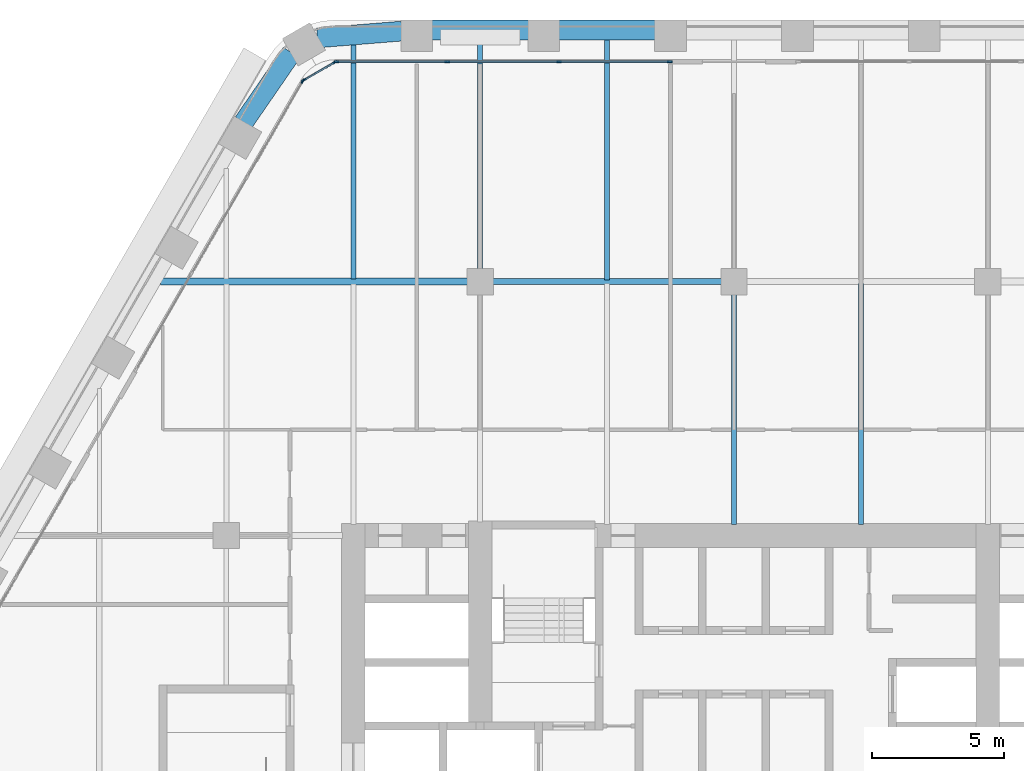
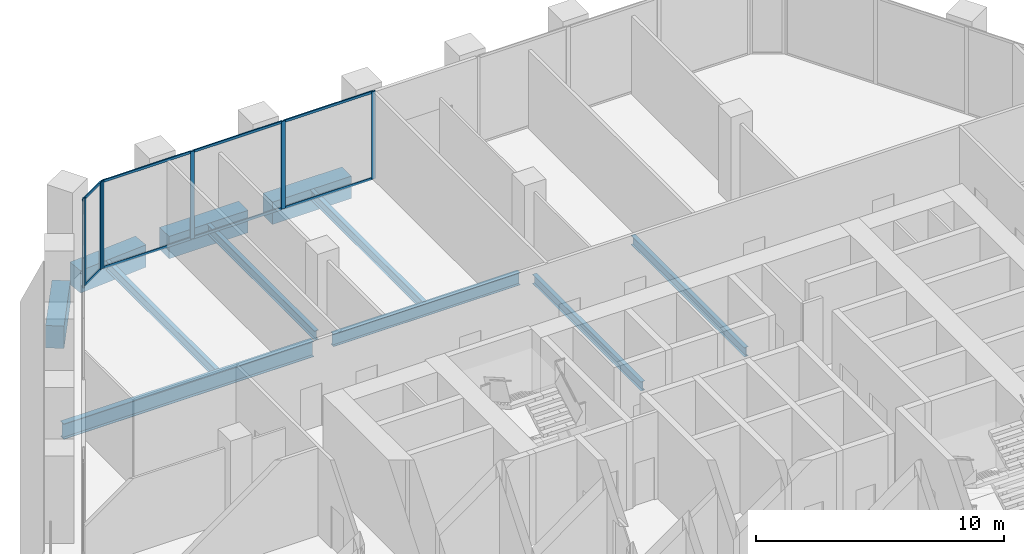
# One storey, part 7 of 23: 15 members, 11 beams, 3 elements without a shape of their own.
"""IFC4 building model written with IfcOpenShell, lengths in metres."""

from ifc_helpers import new_model, si_unit, direction, frame, origin, origin_2d, place, context, subcontext, project, spatial, rectangle, i_section, extrude, material, material_profile, profile_set, type_object, element, aggregate, save


model = new_model("IFC4")

# Units and contexts
model_context = context("Model", 3, precision=1e-05, world=origin(), true_north=direction((0.0, 1.0)))
body_context = subcontext(model_context, "Body", "Model", "MODEL_VIEW")
ifc_project = project(units=[si_unit("LENGTHUNIT", "METRE"), si_unit("AREAUNIT", "SQUARE_METRE"), si_unit("VOLUMEUNIT", "CUBIC_METRE"), si_unit("PLANEANGLEUNIT", "RADIAN"), si_unit("MASSUNIT", "GRAM", prefix="KILO")], contexts=[model_context])

# Site, building, storey
site_placement = place(None, origin())
site = spatial("IfcSite", under=ifc_project, at=site_placement, CompositionType="ELEMENT")
building_placement = place(site_placement, origin())
building = spatial("IfcBuilding", under=site, at=building_placement, Name="Kolab Exchange Tower", CompositionType="ELEMENT")
storey_placement = place(building_placement, frame((0.0, 0.0, 100.39990234375)))
storey = spatial("IfcBuildingStorey", under=building, at=storey_placement, Name="L19", CompositionType="ELEMENT", Elevation=100.39990234375)

# Beams
ifc_material_1 = material(Name="Steel S355", Category="steel")
ifc_material_profile_1 = material_profile(ifc_material_1, i_section(OverallWidth=0.18994140625, OverallDepth=0.45703125, WebThickness=0.009033203125, FlangeThickness=0.014404296875, at=origin_2d()), Name="W460X74")
ifc_profile_set_1 = profile_set([ifc_material_profile_1], Name="Steel S355")
beam_type_1 = type_object("IfcBeamType", Name="FLOOR BEAM W460X74", PredefinedType="BEAM", material=ifc_profile_set_1)
beam_1_placement = place(storey_placement, frame((-14.39990234375, 19.29345703125, -0.428466796875), z_axis=(0.0, 1.0, 0.0), x_axis=(-1.0, 0.0, 0.0)))
element("IfcBeam", 1, at=beam_1_placement, inside=storey, type_object=beam_type_1, Name="beam/L19/fr/015", PredefinedType="BEAM", context=body_context, shape_type="SweptSolid", body=[
    extrude(i_section(OverallWidth=0.18994140625, OverallDepth=0.45703125, WebThickness=0.009033203125, FlangeThickness=0.014404296875, at=origin_2d()), origin(), (0.0, 0.0, 1.0), 8.901123046875),
])
beam_2_placement = place(storey_placement, frame((-9.60009765625, 19.659912109375, -0.428466796875), z_axis=(0.0, 1.0, 0.0), x_axis=(-1.0, 0.0, 0.0)))
element("IfcBeam", 2, at=beam_2_placement, inside=storey, type_object=beam_type_1, Name="beam/L19/fr/019", PredefinedType="BEAM", context=body_context, shape_type="SweptSolid", body=[
    extrude(i_section(OverallWidth=0.18994140625, OverallDepth=0.45703125, WebThickness=0.009033203125, FlangeThickness=0.014404296875, at=origin_2d()), origin(), (0.0, 0.0, 1.0), 8.728515625),
])
beam_3_placement = place(storey_placement, frame((-4.800048828125, 19.27392578125, -0.428466796875), z_axis=(0.0, 1.0, 0.0), x_axis=(-1.0, 0.0, 0.0)))
element("IfcBeam", 3, at=beam_3_placement, inside=storey, type_object=beam_type_1, Name="beam/L19/fr/023", PredefinedType="BEAM", context=body_context, shape_type="SweptSolid", body=[
    extrude(i_section(OverallWidth=0.18994140625, OverallDepth=0.45703125, WebThickness=0.009033203125, FlangeThickness=0.014404296875, at=origin_2d()), origin(), (0.0, 0.0, 1.0), 9.114501953125),
])
beam_4_placement = place(storey_placement, frame((0.0, 10.010009765625, -0.428466796875), z_axis=(0.0, 1.0, 0.0), x_axis=(-1.0, 0.0, 0.0)))
element("IfcBeam", 4, at=beam_4_placement, inside=storey, type_object=beam_type_1, Name="beam/L19/fr/026", PredefinedType="BEAM", context=body_context, shape_type="SweptSolid", body=[
    extrude(i_section(OverallWidth=0.18994140625, OverallDepth=0.45703125, WebThickness=0.009033203125, FlangeThickness=0.014404296875, at=origin_2d()), origin(), (0.0, 0.0, 1.0), 8.72998046875),
])
beam_5_placement = place(storey_placement, frame((4.800048828125, 10.010009765625, -0.428466796875), z_axis=(0.0, 1.0, 0.0), x_axis=(-1.0, 0.0, 0.0)))
element("IfcBeam", 5, at=beam_5_placement, inside=storey, type_object=beam_type_1, Name="beam/L19/fr/030", PredefinedType="BEAM", context=body_context, shape_type="SweptSolid", body=[
    extrude(i_section(OverallWidth=0.18994140625, OverallDepth=0.45703125, WebThickness=0.009033203125, FlangeThickness=0.014404296875, at=origin_2d()), origin(), (0.0, 0.0, 1.0), 9.115966796875),
])
ifc_material_profile_2 = material_profile(ifc_material_1, i_section(OverallWidth=0.22802734375, OverallDepth=0.60791015625, WebThickness=0.01123046875, FlangeThickness=0.017333984375, at=origin_2d()), Name="W610X113")
ifc_profile_set_2 = profile_set([ifc_material_profile_2], Name="Steel S355")
beam_type_2 = type_object("IfcBeamType", Name="FLOOR GIRDER W610X113", PredefinedType="BEAM", material=ifc_profile_set_2)
beam_6_placement = place(storey_placement, frame((-9.139892578125, 19.199951171875, -0.50390625), z_axis=(1.0, 0.0, 0.0), x_axis=(0.0, 1.0, 0.0)))
element("IfcBeam", 6, at=beam_6_placement, inside=storey, type_object=beam_type_2, Name="beam/L19/gd/009", PredefinedType="BEAM", context=body_context, shape_type="SweptSolid", body=[
    extrude(i_section(OverallWidth=0.22802734375, OverallDepth=0.60791015625, WebThickness=0.01123046875, FlangeThickness=0.017333984375, at=origin_2d()), origin(), (0.0, 0.0, 1.0), 8.679931640625),
])
ifc_material_profile_3 = material_profile(ifc_material_1, i_section(OverallWidth=0.26708984375, OverallDepth=0.761962890625, WebThickness=0.014404296875, FlangeThickness=0.021484375, at=origin_2d()), Name="W760X173")
ifc_profile_set_3 = profile_set([ifc_material_profile_3], Name="Steel S355")
beam_type_3 = type_object("IfcBeamType", Name="FLOOR GIRDER W760X173", PredefinedType="BEAM", material=ifc_profile_set_3)
beam_7_placement = place(storey_placement, frame((-21.688720703125, 19.199951171875, -0.580810546875), z_axis=(1.0, 0.0, 0.0), x_axis=(0.0, 1.0, 0.0)))
element("IfcBeam", 7, at=beam_7_placement, inside=storey, type_object=beam_type_3, Name="beam/L19/gd/004", PredefinedType="BEAM", context=body_context, shape_type="SweptSolid", body=[
    extrude(i_section(OverallWidth=0.26708984375, OverallDepth=0.761962890625, WebThickness=0.014404296875, FlangeThickness=0.021484375, at=origin_2d()), origin(), (0.0, 0.0, 1.0), 11.628662109375),
])
ifc_material_2 = material(Name="Concrete C70/85", Category="concrete")
ifc_material_profile_4 = material_profile(ifc_material_2, rectangle(XDim=0.75, YDim=1.10009765625, at=origin_2d()), Name="RC750X1100")
ifc_profile_set_4 = profile_set([ifc_material_profile_4], Name="Concrete C70/85")
beam_type_4 = type_object("IfcBeamType", Name="SPANDREL BEAM 750X1100 C70/85", PredefinedType="BEAM", material=ifc_profile_set_4)
beam_8_placement = place(storey_placement, frame((-15.75830078125, 28.421630859375, -0.75), z_axis=(0.996791038408, 0.080047646748, 0.0), x_axis=(-0.080047646748, 0.996791038408, 0.0)))
element("IfcBeam", 8, at=beam_8_placement, inside=storey, type_object=beam_type_4, Name="beam/L19/sp/F1-01", PredefinedType="BEAM", context=body_context, shape_type="SweptSolid", body=[
    extrude(rectangle(XDim=0.75, YDim=1.10009765625, at=origin_2d()), origin(), (0.0, 0.0, 1.0), 3.20849609375),
])
for number, where, z_axis, x_axis, name in (
    (9, (-11.43994140625, 28.723388671875, -0.75), (1.0, 0.0, 0.0), (0.0, 1.0, 0.0), "beam/L19/sp/F1-02"),
    (10, (-6.639892578125, 28.723388671875, -0.75), (1.0, 0.0, 0.0), (0.0, 1.0, 0.0), "beam/L19/sp/F1-03"),
):
    element("IfcBeam", number, at=place(storey_placement, frame(where, z_axis=z_axis, x_axis=x_axis)), inside=storey, type_object=beam_type_4, Name=name, PredefinedType="BEAM", context=body_context, shape_type="SweptSolid", body=[
        extrude(rectangle(XDim=0.75, YDim=1.10009765625, at=origin_2d()), origin(), (0.0, 0.0, 1.0), 3.679931640625),
    ])
beam_9_placement = place(storey_placement, frame((-18.55615234375, 25.216552734375, -0.75), z_axis=(0.567661826262, 0.823261836237, 0.0), x_axis=(-0.823261836237, 0.567661826262, 0.0)))
element("IfcBeam", 11, at=beam_9_placement, inside=storey, type_object=beam_type_4, Name="beam/L19/sp/F6-07", PredefinedType="BEAM", context=body_context, shape_type="SweptSolid", body=[
    extrude(rectangle(XDim=0.75, YDim=1.10009765625, at=origin_2d()), origin(), (0.0, 0.0, 1.0), 3.20849609375),
])

# Curtain wall, members
ifc_material_3 = material(Name="Aluminium EN AW-6063 T6", Category="aluminium")
curtain_wall_type = type_object("IfcCurtainWallType", Name="UNITISED LOWER MID ZONE CURTAIN WALL", PredefinedType="NOTDEFINED", material=ifc_material_3)
curtain_wall_1_placement = place(storey_placement, origin())
curtain_wall_1 = element("IfcCurtainWall", 12, at=curtain_wall_1_placement, inside=storey, type_object=curtain_wall_type, Name="cw/L19/F1-1", PredefinedType="NOTDEFINED")
ifc_material_profile_5 = material_profile(ifc_material_3, rectangle(XDim=0.06005859375, YDim=0.179931640625, at=origin_2d()), Name="RECT 60X180")
ifc_profile_set_5 = profile_set([ifc_material_profile_5], Name="Aluminium EN AW-6063 T6")
member_type_1 = type_object("IfcMemberType", Name="UNITISED LOWER MID ZONE MULLION 60 X 180", PredefinedType="MULLION", material=ifc_profile_set_5)
member_1_placement = place(storey_placement, frame((-15.037841796875, 27.5185546875, 0.0), z_axis=(0.0, 0.0, 1.0), x_axis=(0.0, 1.0, 0.0)))
member_1 = element("IfcMember", 13, at=member_1_placement, type_object=member_type_1, Name="CW2 mullion 1", PredefinedType="MULLION", context=body_context, shape_type="SweptSolid", body=[
    extrude(rectangle(XDim=0.06005859375, YDim=0.179931640625, at=origin_2d()), origin(), (0.0, 0.0, 1.0), 4.300048828125),
])
member_2_placement = place(storey_placement, frame((-10.84521484375, 27.5185546875, 0.0), z_axis=(0.0, 0.0, 1.0), x_axis=(0.0, 1.0, 0.0)))
member_2 = element("IfcMember", 14, at=member_2_placement, type_object=member_type_1, Name="CW2 mullion 2", PredefinedType="MULLION", context=body_context, shape_type="SweptSolid", body=[
    extrude(rectangle(XDim=0.06005859375, YDim=0.179931640625, at=origin_2d()), origin(), (0.0, 0.0, 1.0), 4.300048828125),
])
member_3_placement = place(storey_placement, frame((-6.62255859375, 27.5185546875, 0.0), z_axis=(0.0, 0.0, 1.0), x_axis=(0.0, 1.0, 0.0)))
member_3 = element("IfcMember", 15, at=member_3_placement, type_object=member_type_1, Name="CW2 mullion 3", PredefinedType="MULLION", context=body_context, shape_type="SweptSolid", body=[
    extrude(rectangle(XDim=0.06005859375, YDim=0.179931640625, at=origin_2d()), origin(), (0.0, 0.0, 1.0), 4.300048828125),
])
member_4_placement = place(storey_placement, frame((-2.429931640625, 27.5185546875, 0.0), z_axis=(0.0, 0.0, 1.0), x_axis=(0.0, 1.0, 0.0)))
member_4 = element("IfcMember", 16, at=member_4_placement, type_object=member_type_1, Name="CW2 mullion 4", PredefinedType="MULLION", context=body_context, shape_type="SweptSolid", body=[
    extrude(rectangle(XDim=0.06005859375, YDim=0.179931640625, at=origin_2d()), origin(), (0.0, 0.0, 1.0), 4.300048828125),
])

# Curtain wall, member
curtain_wall_2_placement = place(storey_placement, origin())
curtain_wall_2 = element("IfcCurtainWall", 17, at=curtain_wall_2_placement, inside=storey, type_object=curtain_wall_type, Name="cw/L19/F6-2", PredefinedType="NOTDEFINED")
member_5_placement = place(storey_placement, frame((-16.312744140625, 26.782470703125, 0.0), z_axis=(0.0, 0.0, 1.0), x_axis=(-0.866025393644, 0.500000017564, 0.0)))
member_5 = element("IfcMember", 18, at=member_5_placement, type_object=member_type_1, Name="CW2 mullion 4", PredefinedType="MULLION", context=body_context, shape_type="SweptSolid", body=[
    extrude(rectangle(XDim=0.06005859375, YDim=0.179931640625, at=origin_2d()), origin(), (0.0, 0.0, 1.0), 4.300048828125),
])
aggregate(curtain_wall_2, [member_5])

# Curtain wall, members
curtain_wall_3_placement = place(storey_placement, origin())
curtain_wall_3 = element("IfcCurtainWall", 19, at=curtain_wall_3_placement, inside=storey, type_object=curtain_wall_type, Name="cw/L19/F6F1-corner", PredefinedType="NOTDEFINED")
member_6_placement = place(storey_placement, frame((-16.271728515625, 26.823486328125, 0.0), z_axis=(0.0, 0.0, 1.0), x_axis=(-0.50000002237, 0.866025390869, 0.0)))
member_6 = element("IfcMember", 20, at=member_6_placement, type_object=member_type_1, Name="CW2 mullion 1", PredefinedType="MULLION", context=body_context, shape_type="SweptSolid", body=[
    extrude(rectangle(XDim=0.06005859375, YDim=0.179931640625, at=origin_2d()), origin(), (0.0, 0.0, 1.0), 4.300048828125),
])
member_7_placement = place(storey_placement, frame((-15.093994140625, 27.50341796875, 0.0), z_axis=(0.0, 0.0, 1.0), x_axis=(-0.50000002237, 0.866025390869, 0.0)))
member_7 = element("IfcMember", 21, at=member_7_placement, type_object=member_type_1, Name="CW2 mullion 2", PredefinedType="MULLION", context=body_context, shape_type="SweptSolid", body=[
    extrude(rectangle(XDim=0.06005859375, YDim=0.179931640625, at=origin_2d()), origin(), (0.0, 0.0, 1.0), 4.300048828125),
])

# Member
ifc_material_profile_6 = material_profile(ifc_material_3, rectangle(XDim=0.06005859375, YDim=0.1201171875, at=origin_2d()), Name="RECT 60X120")
ifc_profile_set_6 = profile_set([ifc_material_profile_6], Name="Aluminium EN AW-6063 T6")
member_type_2 = type_object("IfcMemberType", Name="UNITISED LOWER MID ZONE TRANSOM 60 X 120", PredefinedType="USERDEFINED", material=ifc_profile_set_6)
member_8_placement = place(storey_placement, frame((-15.008056640625, 27.5185546875, 0.030029296875), z_axis=(1.0, 0.0, 0.0), x_axis=(0.0, 1.0, 0.0)))
member_8 = element("IfcMember", 22, at=member_8_placement, type_object=member_type_2, Name="CW2 transom 1.1", ObjectType="TRANSOM", PredefinedType="USERDEFINED", context=body_context, shape_type="SweptSolid", body=[
    extrude(rectangle(XDim=0.06005859375, YDim=0.1201171875, at=origin_2d()), origin(), (0.0, 0.0, 1.0), 4.1328125),
])

member_9_placement = place(storey_placement, frame((-15.008056640625, 27.5185546875, 4.27001953125), z_axis=(1.0, 0.0, 0.0), x_axis=(0.0, 1.0, 0.0)))
member_9 = element("IfcMember", 23, at=member_9_placement, type_object=member_type_2, Name="CW2 transom 1.2", ObjectType="TRANSOM", PredefinedType="USERDEFINED", context=body_context, shape_type="SweptSolid", body=[
    extrude(rectangle(XDim=0.06005859375, YDim=0.1201171875, at=origin_2d()), origin(), (0.0, 0.0, 1.0), 4.1328125),
])

member_10_placement = place(storey_placement, frame((-10.815185546875, 27.5185546875, 0.030029296875), z_axis=(1.0, 0.0, 0.0), x_axis=(0.0, 1.0, 0.0)))
member_10 = element("IfcMember", 24, at=member_10_placement, type_object=member_type_2, Name="CW2 transom 2.1", ObjectType="TRANSOM", PredefinedType="USERDEFINED", context=body_context, shape_type="SweptSolid", body=[
    extrude(rectangle(XDim=0.06005859375, YDim=0.1201171875, at=origin_2d()), origin(), (0.0, 0.0, 1.0), 4.16259765625),
])

member_11_placement = place(storey_placement, frame((-10.815185546875, 27.5185546875, 4.27001953125), z_axis=(1.0, 0.0, 0.0), x_axis=(0.0, 1.0, 0.0)))
member_11 = element("IfcMember", 25, at=member_11_placement, type_object=member_type_2, Name="CW2 transom 2.2", ObjectType="TRANSOM", PredefinedType="USERDEFINED", context=body_context, shape_type="SweptSolid", body=[
    extrude(rectangle(XDim=0.06005859375, YDim=0.1201171875, at=origin_2d()), origin(), (0.0, 0.0, 1.0), 4.16259765625),
])

member_12_placement = place(storey_placement, frame((-6.592529296875, 27.5185546875, 0.030029296875), z_axis=(1.0, 0.0, 0.0), x_axis=(0.0, 1.0, 0.0)))
member_12 = element("IfcMember", 26, at=member_12_placement, type_object=member_type_2, Name="CW2 transom 3.1", ObjectType="TRANSOM", PredefinedType="USERDEFINED", context=body_context, shape_type="SweptSolid", body=[
    extrude(rectangle(XDim=0.06005859375, YDim=0.1201171875, at=origin_2d()), origin(), (0.0, 0.0, 1.0), 4.132568359375),
])

member_13_placement = place(storey_placement, frame((-6.592529296875, 27.5185546875, 4.27001953125), z_axis=(1.0, 0.0, 0.0), x_axis=(0.0, 1.0, 0.0)))
member_13 = element("IfcMember", 27, at=member_13_placement, type_object=member_type_2, Name="CW2 transom 3.2", ObjectType="TRANSOM", PredefinedType="USERDEFINED", context=body_context, shape_type="SweptSolid", body=[
    extrude(rectangle(XDim=0.06005859375, YDim=0.1201171875, at=origin_2d()), origin(), (0.0, 0.0, 1.0), 4.132568359375),
])

aggregate(curtain_wall_1, [member_1, member_2, member_3, member_4, member_8, member_9, member_10, member_11, member_12, member_13])

member_14_placement = place(storey_placement, frame((-16.245849609375, 26.83837890625, 0.030029296875), z_axis=(0.866004217611, 0.500036693733, 0.0), x_axis=(-0.500036693733, 0.866004217611, 0.0)))
member_14 = element("IfcMember", 28, at=member_14_placement, type_object=member_type_2, Name="CW2 transom 1.1", ObjectType="TRANSOM", PredefinedType="USERDEFINED", context=body_context, shape_type="SweptSolid", body=[
    extrude(rectangle(XDim=0.06005859375, YDim=0.1201171875, at=origin_2d()), origin(), (0.0, 0.0, 1.0), 1.30029296875),
])

member_15_placement = place(storey_placement, frame((-16.245849609375, 26.83837890625, 4.27001953125), z_axis=(0.866004217611, 0.500036693733, 0.0), x_axis=(-0.500036693733, 0.866004217611, 0.0)))
member_15 = element("IfcMember", 29, at=member_15_placement, type_object=member_type_2, Name="CW2 transom 1.2", ObjectType="TRANSOM", PredefinedType="USERDEFINED", context=body_context, shape_type="SweptSolid", body=[
    extrude(rectangle(XDim=0.06005859375, YDim=0.1201171875, at=origin_2d()), origin(), (0.0, 0.0, 1.0), 1.30029296875),
])

aggregate(curtain_wall_3, [member_6, member_7, member_14, member_15])

save(model, "model.ifc")
